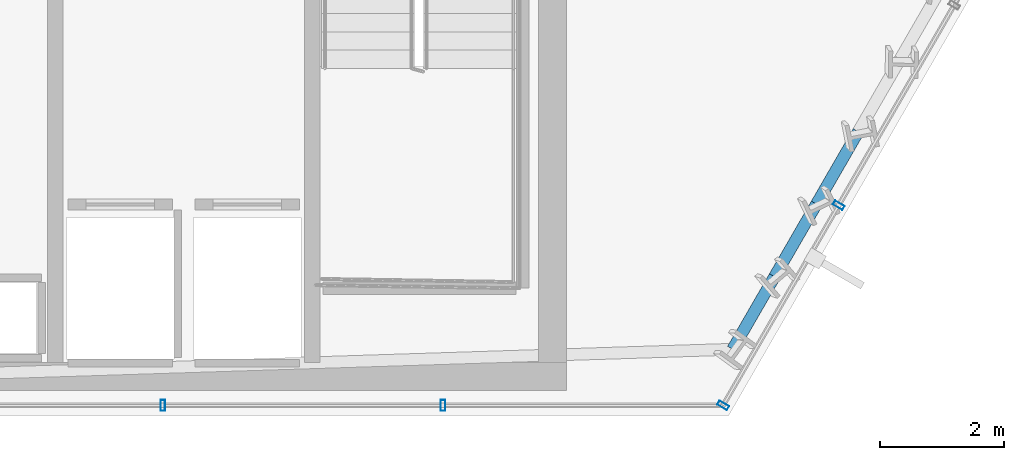
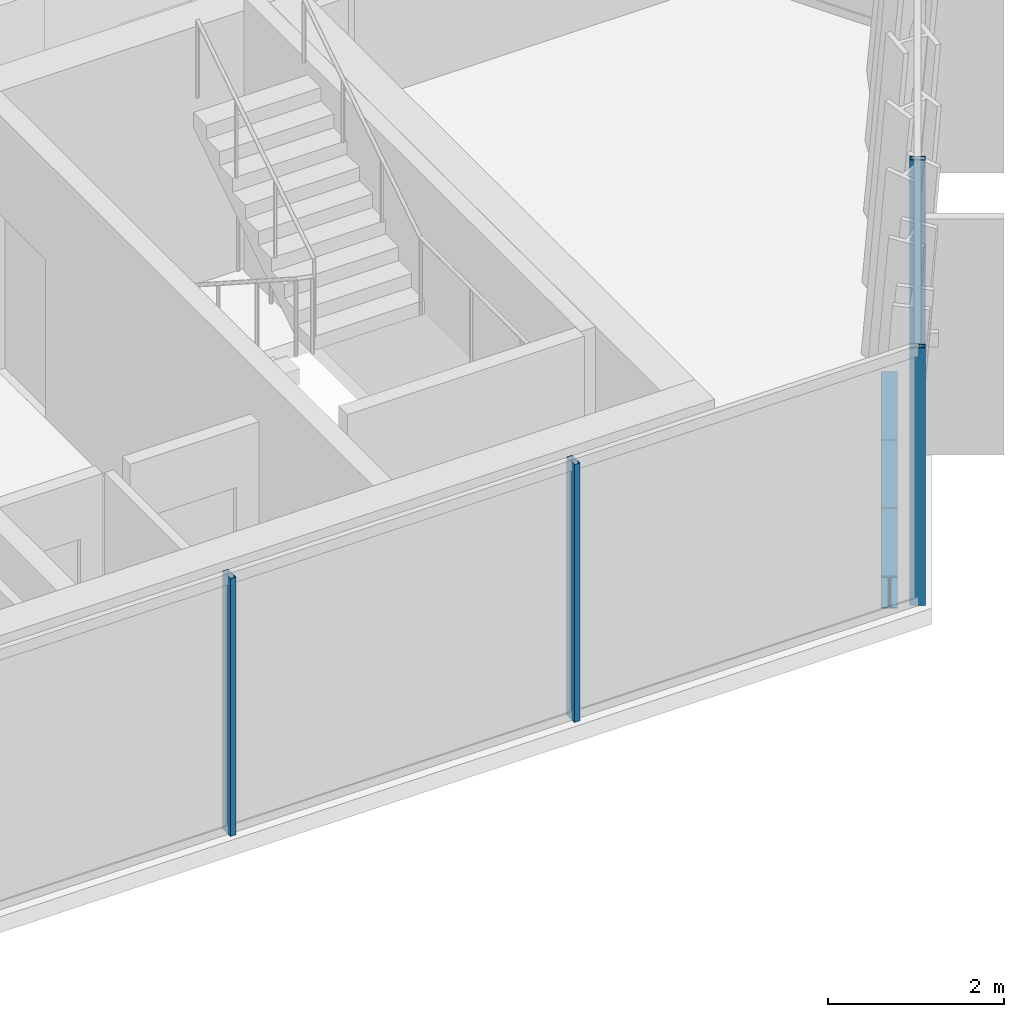
# One storey, part 16 of 32: 4 members, 3 beams, 2 elements without a shape of their own.
"""IFC4 building model written with IfcOpenShell, lengths in metres."""

from ifc_helpers import new_model, si_unit, direction, frame, origin, origin_2d, place, context, subcontext, project, spatial, hollow_rectangle, i_section, extrude, material, layer, layer_set, material_profile, profile_set, type_object, element, aggregate, save


model = new_model("IFC4")

# Units and contexts
model_context = context("Model", 3, precision=1e-05, world=origin(), true_north=direction((0.0, 1.0)))
body_context = subcontext(model_context, "Body", "Model", "MODEL_VIEW")
ifc_project = project(units=[si_unit("LENGTHUNIT", "METRE"), si_unit("AREAUNIT", "SQUARE_METRE"), si_unit("VOLUMEUNIT", "CUBIC_METRE"), si_unit("PLANEANGLEUNIT", "RADIAN"), si_unit("MASSUNIT", "GRAM", prefix="KILO")], contexts=[model_context])

# Site, building, storey
site_placement = place(None, origin())
site = spatial("IfcSite", under=ifc_project, at=site_placement, CompositionType="ELEMENT")
building_placement = place(site_placement, origin())
building = spatial("IfcBuilding", under=site, at=building_placement, Name="Ndaravel Arena Tower", CompositionType="ELEMENT")
storey_placement = place(building_placement, frame((0.0, 0.0, 157.39990234375)))
storey = spatial("IfcBuildingStorey", under=building, at=storey_placement, Name="L37", CompositionType="ELEMENT", Elevation=157.39990234375)

# Beams
ifc_material_1 = material(Name="Steel S355", Category="steel")
ifc_material_profile_1 = material_profile(ifc_material_1, i_section(OverallWidth=0.18994140625, OverallDepth=0.449951171875, WebThickness=0.009521484375, FlangeThickness=0.0146484375, FilletRadius=0.02099609375, at=origin_2d()), Name="IPE 450")
ifc_profile_set_1 = profile_set([ifc_material_profile_1], Name="Steel S355")
beam_type = type_object("IfcBeamType", Name="BM-SPAN-IPE450", PredefinedType="SPANDREL", material=ifc_profile_set_1)
for number, where, z_axis, x_axis, name in (
    (1, (60.22900390625, 6.065185546875, -0.44482421875), (0.499868360126, 0.866101392762, 0.0), (-0.866101392762, 0.499868360126, 0.0), "L37 Perimeter Spandrel Beam SP-02"),
    (2, (60.90478515625, 7.236083984375, -0.44482421875), (0.500082007311, 0.865978051664, 0.0), (-0.865978051664, 0.500082007311, 0.0), "L37 Perimeter Spandrel Beam SP-03"),
    (3, (61.580810546875, 8.40673828125, -0.44482421875), (0.49994655361, 0.866056258873, 0.0), (-0.866056258873, 0.49994655361, 0.0), "L37 Perimeter Spandrel Beam SP-04"),
):
    element("IfcBeam", number, at=place(storey_placement, frame(where, z_axis=z_axis, x_axis=x_axis)), inside=storey, type_object=beam_type, Name=name, PredefinedType="SPANDREL", context=body_context, shape_type="SweptSolid", body=[
        extrude(i_section(OverallWidth=0.18994140625, OverallDepth=0.449951171875, WebThickness=0.009521484375, FlangeThickness=0.0146484375, FilletRadius=0.02099609375, at=origin_2d()), origin(), (0.0, 0.0, 1.0), 1.351806640625),
    ])

# Curtain wall, members
ifc_material_2 = material(Name="Aluminium", Category="aluminium")
ifc_layer_1 = layer(ifc_material_2, 0.179931640625)
ifc_layer_set_1 = layer_set([ifc_layer_1], Name="Aluminium")
curtain_wall_type_1 = type_object("IfcCurtainWallType", Name="CW-SYS-03", PredefinedType="NOTDEFINED", material=ifc_layer_set_1)
curtain_wall_1_placement = place(storey_placement, origin())
curtain_wall_1 = element("IfcCurtainWall", 4, at=curtain_wall_1_placement, inside=storey, type_object=curtain_wall_type_1, Name="L37 Faceted Crystal Curtain Wall CW-L37-E01", PredefinedType="NOTDEFINED")
ifc_material_3 = material(Name="Aluminium", Category="aluminium")
ifc_material_profile_2 = material_profile(ifc_material_3, hollow_rectangle(XDim=0.074951171875, YDim=0.179931640625, WallThickness=0.00390625, at=origin_2d()), Name="CW MULLION 75x180x4")
ifc_profile_set_2 = profile_set([ifc_material_profile_2], Name="Aluminium")
member_type = type_object("IfcMemberType", Name="MEM-CW-MUL180", PredefinedType="MULLION", material=ifc_profile_set_2)
member_1_placement = place(storey_placement, frame((51.037841796875, 5.159912109375, 0.0), z_axis=(0.0, 0.0, 1.0), x_axis=(1.0, 0.0, 0.0)))
member_1 = element("IfcMember", 5, at=member_1_placement, type_object=member_type, Name="CW-L37-E01 Mullion 06", PredefinedType="MULLION", context=body_context, shape_type="SweptSolid", body=[
    extrude(hollow_rectangle(XDim=0.074951171875, YDim=0.179931640625, WallThickness=0.00390625, at=origin_2d()), origin(), (0.0, 0.0, 1.0), 3.580078125),
])
member_2_placement = place(storey_placement, frame((55.556884765625, 5.159912109375, 0.0), z_axis=(0.0, 0.0, 1.0), x_axis=(1.0, 0.0, 0.0)))
member_2 = element("IfcMember", 6, at=member_2_placement, type_object=member_type, Name="CW-L37-E01 Mullion 07", PredefinedType="MULLION", context=body_context, shape_type="SweptSolid", body=[
    extrude(hollow_rectangle(XDim=0.074951171875, YDim=0.179931640625, WallThickness=0.00390625, at=origin_2d()), origin(), (0.0, 0.0, 1.0), 3.580078125),
])
aggregate(curtain_wall_1, [member_1, member_2])

ifc_material_4 = material(Name="Aluminium", Category="aluminium")
ifc_layer_2 = layer(ifc_material_4, 0.179931640625)
ifc_layer_set_2 = layer_set([ifc_layer_2], Name="Aluminium")
curtain_wall_type_2 = type_object("IfcCurtainWallType", Name="CW-SYS-01", PredefinedType="NOTDEFINED", material=ifc_layer_set_2)
curtain_wall_2_placement = place(storey_placement, origin())
curtain_wall_2 = element("IfcCurtainWall", 7, at=curtain_wall_2_placement, inside=storey, type_object=curtain_wall_type_2, Name="L37 Faceted Crystal Curtain Wall CW-L37-E02", PredefinedType="NOTDEFINED")
member_3_placement = place(storey_placement, frame((60.07568359375, 5.159912109375, 0.0), z_axis=(0.0, 0.0, 1.0), x_axis=(0.5, 0.866025403784, 0.0)))
member_3 = element("IfcMember", 8, at=member_3_placement, type_object=member_type, Name="CW-L37-E02 Mullion 00", PredefinedType="MULLION", context=body_context, shape_type="SweptSolid", body=[
    extrude(hollow_rectangle(XDim=0.074951171875, YDim=0.179931640625, WallThickness=0.00390625, at=origin_2d()), origin(), (0.0, 0.0, 1.0), 3.580078125),
])
member_4_placement = place(storey_placement, frame((61.939697265625, 8.388427734375, 0.0), z_axis=(0.0, 0.0, 1.0), x_axis=(0.5, 0.866025403784, 0.0)))
member_4 = element("IfcMember", 9, at=member_4_placement, type_object=member_type, Name="CW-L37-E02 Mullion 01", PredefinedType="MULLION", context=body_context, shape_type="SweptSolid", body=[
    extrude(hollow_rectangle(XDim=0.074951171875, YDim=0.179931640625, WallThickness=0.00390625, at=origin_2d()), origin(), (0.0, 0.0, 1.0), 3.580078125),
])
aggregate(curtain_wall_2, [member_3, member_4])

save(model, "model.ifc")
